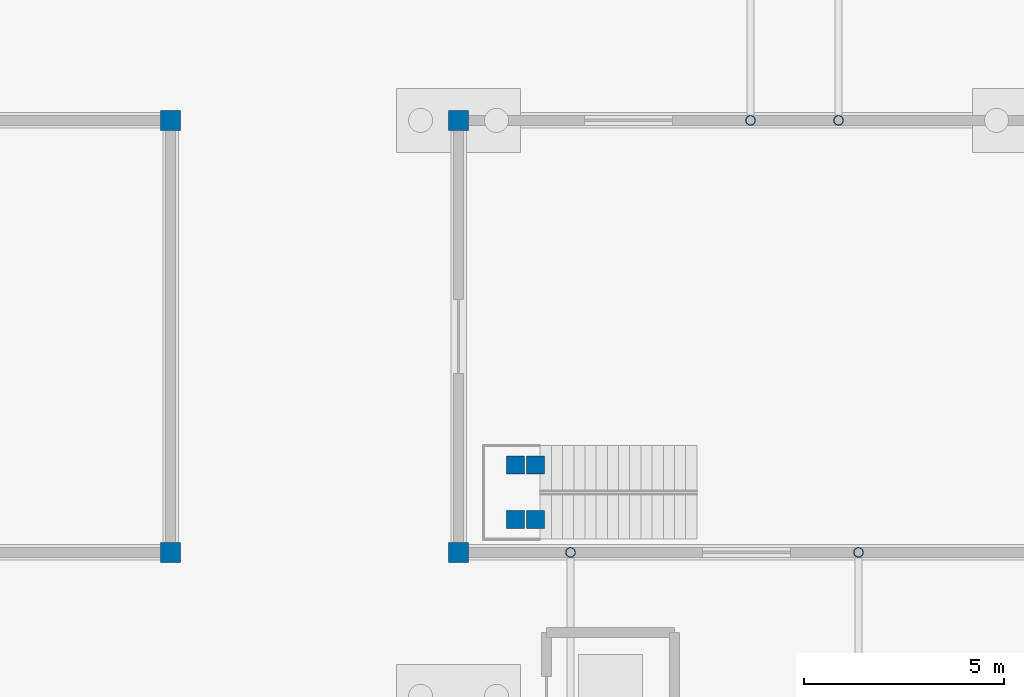
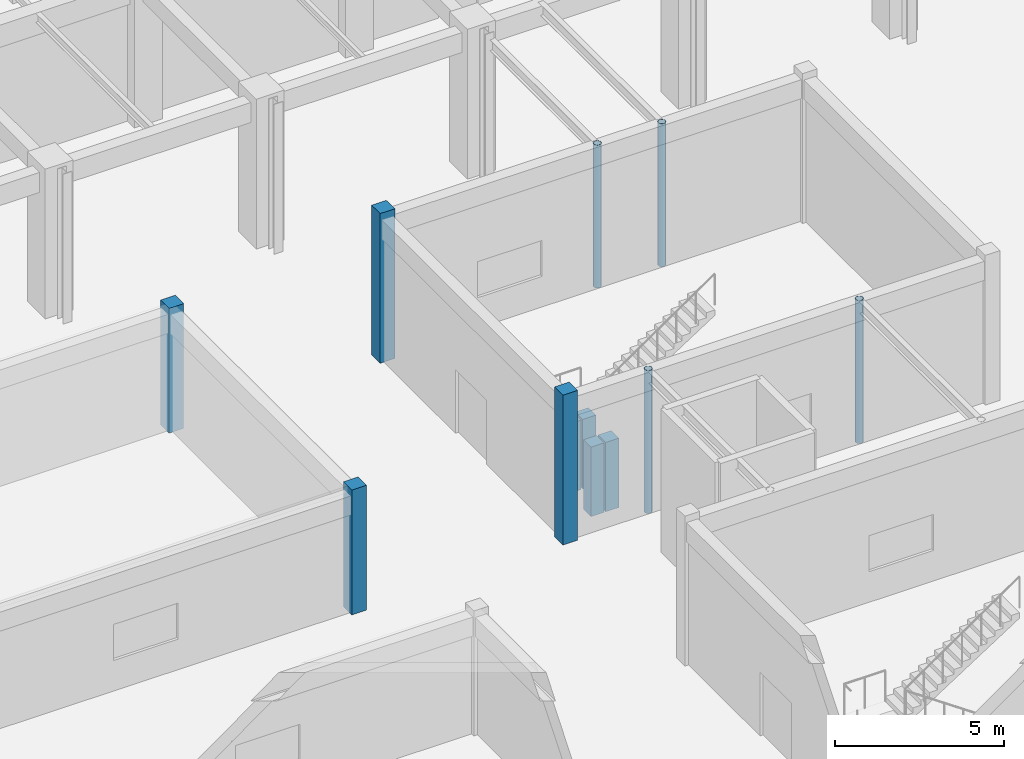
# One storey, part 11 of 160: 12 columns.
"""IFC4 building model written with IfcOpenShell, lengths in metres."""

from ifc_helpers import new_model, si_unit, direction, frame, origin, origin_2d, place, context, subcontext, project, spatial, rectangle, hollow_circle, extrude, material, material_profile, profile_set, type_object, element, save


model = new_model("IFC4")

# Units and contexts
model_context = context("Model", 3, precision=1e-05, world=origin(), true_north=direction((0.0, 1.0)))
body_context = subcontext(model_context, "Body", "Model", "MODEL_VIEW")
ifc_project = project(units=[si_unit("LENGTHUNIT", "METRE"), si_unit("AREAUNIT", "SQUARE_METRE"), si_unit("VOLUMEUNIT", "CUBIC_METRE"), si_unit("PLANEANGLEUNIT", "RADIAN"), si_unit("MASSUNIT", "GRAM", prefix="KILO")], contexts=[model_context])

# Site, building, storey
site_placement = place(None, origin())
site = spatial("IfcSite", under=ifc_project, at=site_placement, CompositionType="ELEMENT")
building_placement = place(site_placement, origin())
building = spatial("IfcBuilding", under=site, at=building_placement, Name="Thalmaran Polytechnic", CompositionType="ELEMENT")
storey_placement = place(building_placement, origin())
storey = spatial("IfcBuildingStorey", under=building, at=storey_placement, Name="L00", CompositionType="ELEMENT", Elevation=0.0)

# Columns
ifc_material_1 = material(Name="Concrete C40/50", Category="concrete")
ifc_material_profile_1 = material_profile(ifc_material_1, rectangle(XDim=0.5, YDim=0.5, at=origin_2d()), Name="RC 500x500")
ifc_profile_set_1 = profile_set([ifc_material_profile_1], Name="Concrete C40/50")
column_type_1 = type_object("IfcColumnType", Name="COL-C09", PredefinedType="COLUMN", material=ifc_profile_set_1)
for number, where, z_axis, x_axis, name in (
    (1, (136.800048828125, 32.39990234375, 0.0), (0.0, 0.0, 1.0), (1.0, 0.0, 0.0), "POD3 Frame Column L00"),
    (2, (136.800048828125, 43.199951171875, 0.0), (0.0, 0.0, 1.0), (1.0, 0.0, 0.0), "POD3 Frame Column L00"),
):
    element("IfcColumn", number, at=place(storey_placement, frame(where, z_axis=z_axis, x_axis=x_axis)), inside=storey, type_object=column_type_1, Name=name, PredefinedType="COLUMN", context=body_context, shape_type="SweptSolid", body=[
        extrude(rectangle(XDim=0.5, YDim=0.5, at=origin_2d()), origin(), (0.0, 0.0, 1.0), 4.5),
    ])
for number, where, z_axis, x_axis, name in (
    (3, (144.0, 32.39990234375, 0.0), (0.0, 0.0, 1.0), (1.0, 0.0, 0.0), "POD4 Frame Column L00"),
    (4, (144.0, 43.199951171875, 0.0), (0.0, 0.0, 1.0), (1.0, 0.0, 0.0), "POD4 Frame Column L00"),
):
    element("IfcColumn", number, at=place(storey_placement, frame(where, z_axis=z_axis, x_axis=x_axis)), inside=storey, type_object=column_type_1, Name=name, PredefinedType="COLUMN", context=body_context, shape_type="SweptSolid", body=[
        extrude(rectangle(XDim=0.5, YDim=0.5, at=origin_2d()), origin(), (0.0, 0.0, 1.0), 5.39990234375),
    ])
ifc_material_profile_2 = material_profile(ifc_material_1, rectangle(XDim=0.449951171875, YDim=0.449951171875, at=origin_2d()), Name="RC 450x450")
ifc_profile_set_2 = profile_set([ifc_material_profile_2], Name="Concrete C40/50")
column_type_2 = type_object("IfcColumnType", Name="COL-C10", PredefinedType="COLUMN", material=ifc_profile_set_2)
for number, where, z_axis, x_axis, name in (
    (5, (145.419921875, 33.219970703125, 0.0), (0.0, 0.0, 1.0), (1.0, 0.0, 0.0), "STP2 Landing Post L00"),
    (6, (145.419921875, 34.580078125, 0.0), (0.0, 0.0, 1.0), (1.0, 0.0, 0.0), "STP2 Landing Post L00"),
    (7, (145.919921875, 33.219970703125, 0.0), (0.0, 0.0, 1.0), (1.0, 0.0, 0.0), "STP2 Landing Post L00"),
    (8, (145.919921875, 34.580078125, 0.0), (0.0, 0.0, 1.0), (1.0, 0.0, 0.0), "STP2 Landing Post L00"),
):
    element("IfcColumn", number, at=place(storey_placement, frame(where, z_axis=z_axis, x_axis=x_axis)), inside=storey, type_object=column_type_2, Name=name, PredefinedType="COLUMN", context=body_context, shape_type="SweptSolid", body=[
        extrude(rectangle(XDim=0.449951171875, YDim=0.449951171875, at=origin_2d()), origin(), (0.0, 0.0, 1.0), 2.5048828125),
    ])
ifc_material_2 = material(Name="Steel S355", Category="steel")
ifc_material_profile_3 = material_profile(ifc_material_2, hollow_circle(Radius=0.122314453125, WallThickness=0.010009765625, at=origin_2d()), Name="CHS 244.5x10.0")
ifc_profile_set_3 = profile_set([ifc_material_profile_3], Name="Steel S355")
column_type_3 = type_object("IfcColumnType", Name="COL-SC3", PredefinedType="COLUMN", material=ifc_profile_set_3)
for number, where, z_axis, x_axis, name in (
    (9, (146.800048828125, 32.39990234375, 0.0), (0.0, 0.0, 1.0), (1.0, 0.0, 0.0), "Pod Bridge Steel Post L00"),
    (10, (154.0, 32.39990234375, 0.0), (0.0, 0.0, 1.0), (1.0, 0.0, 0.0), "Pod Bridge Steel Post L00"),
    (11, (151.300048828125, 43.199951171875, 0.0), (0.0, 0.0, 1.0), (1.0, 0.0, 0.0), "Pod Bridge Steel Post L00"),
    (12, (153.5, 43.199951171875, 0.0), (0.0, 0.0, 1.0), (1.0, 0.0, 0.0), "Pod Bridge Steel Post L00"),
):
    element("IfcColumn", number, at=place(storey_placement, frame(where, z_axis=z_axis, x_axis=x_axis)), inside=storey, type_object=column_type_3, Name=name, PredefinedType="COLUMN", context=body_context, shape_type="SweptSolid", body=[
        extrude(hollow_circle(Radius=0.122314453125, WallThickness=0.010009765625, at=origin_2d()), origin(), (0.0, 0.0, 1.0), 5.155029296875),
    ])

save(model, "model.ifc")
